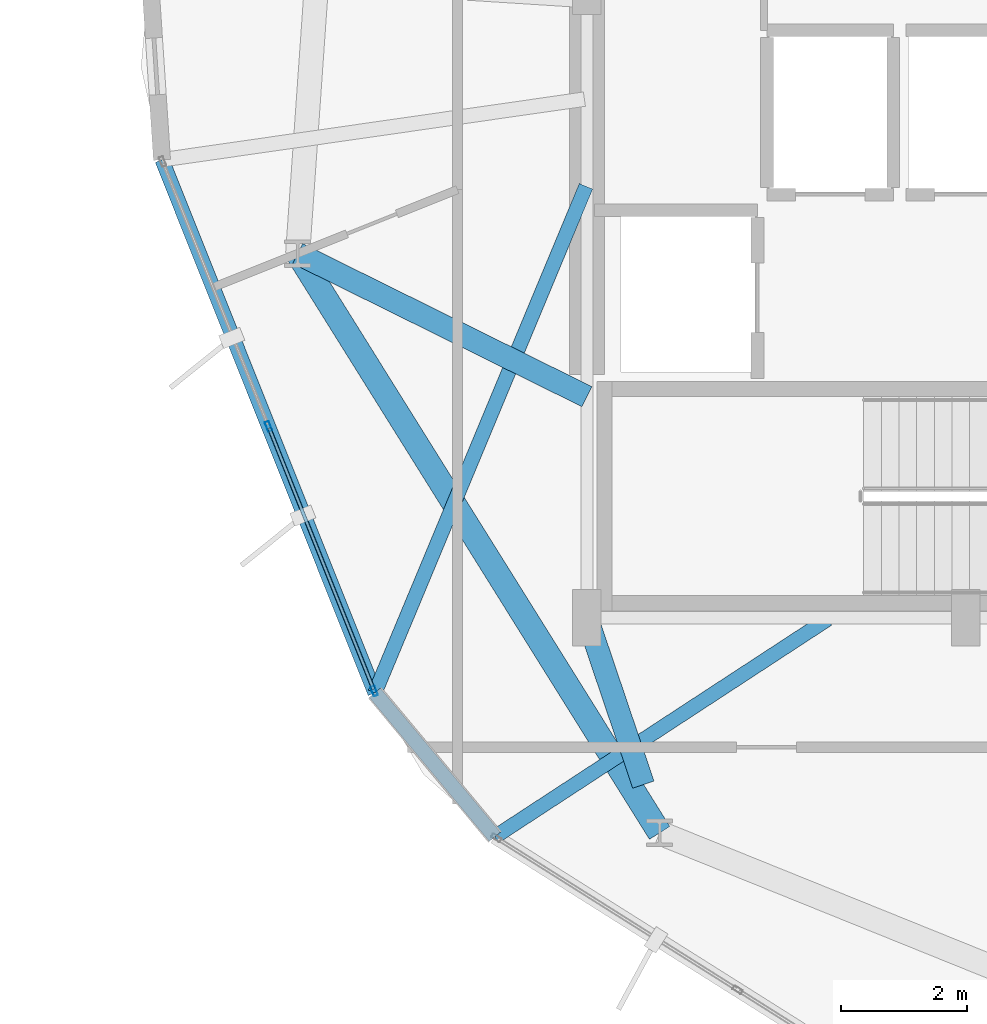
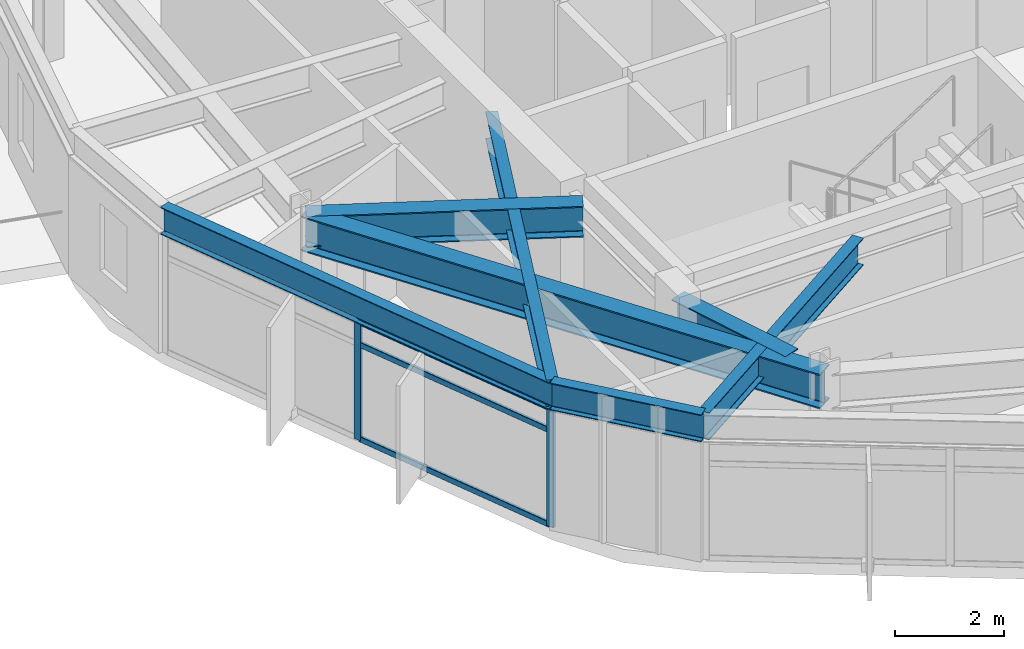
# One storey, part 3 of 24: 7 beams, 5 members, 1 element without a shape of its own.
"""IFC4 building model written with IfcOpenShell, lengths in metres."""

from ifc_helpers import new_model, si_unit, direction, frame, origin, origin_2d, place, context, subcontext, project, spatial, hollow_rectangle, i_section, extrude, material, layer, layer_set, material_profile, profile_set, type_object, element, aggregate, save


model = new_model("IFC4")

# Units and contexts
model_context = context("Model", 3, precision=1e-05, world=origin(), true_north=direction((0.0, 1.0)))
body_context = subcontext(model_context, "Body", "Model", "MODEL_VIEW")
ifc_project = project(units=[si_unit("LENGTHUNIT", "METRE"), si_unit("AREAUNIT", "SQUARE_METRE"), si_unit("VOLUMEUNIT", "CUBIC_METRE"), si_unit("PLANEANGLEUNIT", "RADIAN"), si_unit("MASSUNIT", "GRAM", prefix="KILO")], contexts=[model_context])

# Site, building, storey
site_placement = place(None, origin())
site = spatial("IfcSite", under=ifc_project, at=site_placement, CompositionType="ELEMENT")
building_placement = place(site_placement, origin())
building = spatial("IfcBuilding", under=site, at=building_placement, Name="Soratama Intermodal Tower", CompositionType="ELEMENT")
storey_placement = place(building_placement, frame((0.0, 0.0, 178.60009765625)))
storey = spatial("IfcBuildingStorey", under=building, at=storey_placement, Name="L44", CompositionType="ELEMENT", Elevation=178.60009765625)

# Beams
ifc_material_1 = material(Name="Structural steel ASTM A992 Grade 50", Category="steel")
ifc_material_profile_1 = material_profile(ifc_material_1, i_section(OverallWidth=0.35498046875, OverallDepth=0.695068359375, WebThickness=0.015380859375, FlangeThickness=0.02490234375, FilletRadius=0.01611328125, at=origin_2d()), Name="W27X146")
ifc_profile_set_1 = profile_set([ifc_material_profile_1], Name="Structural steel ASTM A992 Grade 50")
beam_type_1 = type_object("IfcBeamType", Name="BM-RING-W27X146", PredefinedType="BEAM", material=ifc_profile_set_1)
beam_1_placement = place(storey_placement, frame((32.60009765625, 18.5, 2.952392578125), z_axis=(-0.89629219718, 0.443463975172, 0.0), x_axis=(-0.443463975172, -0.89629219718, 0.0)))
element("IfcBeam", 1, at=beam_1_placement, inside=storey, type_object=beam_type_1, Name="BM-L44-RAD-06", PredefinedType="BEAM", context=body_context, shape_type="SweptSolid", body=[
    extrude(i_section(OverallWidth=0.35498046875, OverallDepth=0.695068359375, WebThickness=0.015380859375, FlangeThickness=0.02490234375, FilletRadius=0.01611328125, at=origin_2d()), origin(), (0.0, 0.0, 1.0), 5.110107421875),
])
beam_2_placement = place(storey_placement, frame((32.60009765625, 15.0, 2.952392578125), z_axis=(0.32013816754, -0.947370863856, 0.0), x_axis=(0.947370863856, 0.32013816754, 0.0)))
element("IfcBeam", 2, at=beam_2_placement, inside=storey, type_object=beam_type_1, Name="BM-L44-RAD-07", PredefinedType="BEAM", context=body_context, shape_type="SweptSolid", body=[
    extrude(i_section(OverallWidth=0.35498046875, OverallDepth=0.695068359375, WebThickness=0.015380859375, FlangeThickness=0.02490234375, FilletRadius=0.01611328125, at=origin_2d()), origin(), (0.0, 0.0, 1.0), 2.788818359375),
])
ifc_material_2 = material(Name="Structural steel ASTM A992 Grade 50", Category="steel")
ifc_material_profile_2 = material_profile(ifc_material_2, i_section(OverallWidth=0.382080078125, OverallDepth=0.779052734375, WebThickness=0.01806640625, FlangeThickness=0.030029296875, FilletRadius=0.01806640625, at=origin_2d()), Name="W30X191")
ifc_profile_set_2 = profile_set([ifc_material_profile_2], Name="Structural steel ASTM A992 Grade 50")
beam_type_2 = type_object("IfcBeamType", Name="BM-RING-W30X191", PredefinedType="BEAM", material=ifc_profile_set_2)
beam_3_placement = place(storey_placement, frame((28.02001953125, 20.76611328125, 2.910400390625), z_axis=(0.529891394359, -0.84806551055, 0.0), x_axis=(0.84806551055, 0.529891394359, 0.0)))
element("IfcBeam", 3, at=beam_3_placement, inside=storey, type_object=beam_type_2, Name="BM-L44-RING-06", PredefinedType="BEAM", context=body_context, shape_type="SweptSolid", body=[
    extrude(i_section(OverallWidth=0.382080078125, OverallDepth=0.779052734375, WebThickness=0.01806640625, FlangeThickness=0.030029296875, FilletRadius=0.01806640625, at=origin_2d()), origin(), (0.0, 0.0, 1.0), 10.8154296875),
])
ifc_material_3 = material(Name="Structural steel ASTM A992 Grade 50", Category="steel")
ifc_material_profile_3 = material_profile(ifc_material_3, i_section(OverallWidth=0.22900390625, OverallDepth=0.612060546875, WebThickness=0.011962890625, FlangeThickness=0.01953125, FilletRadius=0.012939453125, at=origin_2d()), Name="W24X84")
ifc_profile_set_3 = profile_set([ifc_material_profile_3], Name="Structural steel ASTM A992 Grade 50")
beam_type_3 = type_object("IfcBeamType", Name="BM-SPN-W24X84", PredefinedType="SPANDREL", material=ifc_profile_set_3)
beam_4_placement = place(storey_placement, frame((25.8720703125, 22.25, 2.993896484375), z_axis=(0.370941319201, -0.928656307634, 0.0), x_axis=(0.928656307634, 0.370941319201, 0.0)))
element("IfcBeam", 4, at=beam_4_placement, inside=storey, type_object=beam_type_3, Name="BS-L44-F05", PredefinedType="SPANDREL", context=body_context, shape_type="SweptSolid", body=[
    extrude(i_section(OverallWidth=0.22900390625, OverallDepth=0.612060546875, WebThickness=0.011962890625, FlangeThickness=0.01953125, FilletRadius=0.012939453125, at=origin_2d()), origin(), (0.0, 0.0, 1.0), 9.08740234375),
])
beam_5_placement = place(storey_placement, frame((29.242919921875, 13.81103515625, 2.993896484375), z_axis=(0.639981968935, -0.768389926689, 0.0), x_axis=(0.768389926689, 0.639981968935, 0.0)))
element("IfcBeam", 5, at=beam_5_placement, inside=storey, type_object=beam_type_3, Name="BS-L44-CRN05", PredefinedType="SPANDREL", context=body_context, shape_type="SweptSolid", body=[
    extrude(i_section(OverallWidth=0.22900390625, OverallDepth=0.612060546875, WebThickness=0.011962890625, FlangeThickness=0.01953125, FilletRadius=0.012939453125, at=origin_2d()), origin(), (0.0, 0.0, 1.0), 2.966064453125),
])
ifc_material_4 = material(Name="Structural steel ASTM A992 Grade 50", Category="steel")
ifc_material_profile_4 = material_profile(ifc_material_4, i_section(OverallWidth=0.22900390625, OverallDepth=0.612060546875, WebThickness=0.011962890625, FlangeThickness=0.01953125, FilletRadius=0.012939453125, at=origin_2d()), Name="W24X84")
ifc_profile_set_4 = profile_set([ifc_material_profile_4], Name="Structural steel ASTM A992 Grade 50")
beam_type_4 = type_object("IfcBeamType", Name="BM-TIE-W24X84", PredefinedType="BEAM", material=ifc_profile_set_4)
beam_6_placement = place(storey_placement, frame((32.5849609375, 21.830078125, 2.993896484375), z_axis=(-0.38469120941, -0.923045325757, 0.0), x_axis=(0.923045325757, -0.38469120941, 0.0)))
element("IfcBeam", 6, at=beam_6_placement, inside=storey, type_object=beam_type_4, Name="BM-L44-TIE1-05", PredefinedType="BEAM", context=body_context, shape_type="SweptSolid", body=[
    extrude(i_section(OverallWidth=0.22900390625, OverallDepth=0.612060546875, WebThickness=0.011962890625, FlangeThickness=0.01953125, FilletRadius=0.012939453125, at=origin_2d()), origin(), (0.0, 0.0, 1.0), 8.6875),
])
beam_7_placement = place(storey_placement, frame((36.412109375, 14.97802734375, 2.993896484375), z_axis=(-0.836996931177, -0.547207581453, 0.0), x_axis=(0.547207581453, -0.836996931177, 0.0)))
element("IfcBeam", 7, at=beam_7_placement, inside=storey, type_object=beam_type_4, Name="BM-L44-TIE0-06", PredefinedType="BEAM", context=body_context, shape_type="SweptSolid", body=[
    extrude(i_section(OverallWidth=0.22900390625, OverallDepth=0.612060546875, WebThickness=0.011962890625, FlangeThickness=0.01953125, FilletRadius=0.012939453125, at=origin_2d()), origin(), (0.0, 0.0, 1.0), 6.297607421875),
])

# Curtain wall, members
ifc_material_5 = material(Name="Double-glazed aluminium curtain wall", Category="aluminium")
ifc_layer = layer(ifc_material_5, 0.159912109375)
ifc_layer_set = layer_set([ifc_layer], Name="Double-glazed aluminium curtain wall")
curtain_wall_type = type_object("IfcCurtainWallType", Name="CW-SYS-4", PredefinedType="NOTDEFINED", material=ifc_layer_set)
curtain_wall_placement = place(storey_placement, origin())
curtain_wall = element("IfcCurtainWall", 8, at=curtain_wall_placement, inside=storey, type_object=curtain_wall_type, Name="L44 Faceted Curtain Wall F05", PredefinedType="NOTDEFINED")
ifc_material_6 = material(Name="Anodised aluminium AA 6063-T6", Category="aluminium")
ifc_material_profile_5 = material_profile(ifc_material_6, hollow_rectangle(XDim=0.070068359375, YDim=0.159912109375, WallThickness=0.0048828125, InnerFilletRadius=0.0048828125, OuterFilletRadius=0.010009765625, at=origin_2d()), Name="CWM160X70X5")
ifc_profile_set_5 = profile_set([ifc_material_profile_5], Name="Anodised aluminium AA 6063-T6")
member_type_1 = type_object("IfcMemberType", Name="MT-CWM-4", PredefinedType="MULLION", material=ifc_profile_set_5)
member_1_placement = place(storey_placement, frame((27.5576171875, 18.030517578125, 0.0), z_axis=(0.0, 0.0, 1.0), x_axis=(0.928617788795, 0.371037737075, 0.0)))
member_1 = element("IfcMember", 9, at=member_1_placement, type_object=member_type_1, Name="CW-4 mullion 2", PredefinedType="MULLION", context=body_context, shape_type="SweptSolid", body=[
    extrude(hollow_rectangle(XDim=0.070068359375, YDim=0.159912109375, WallThickness=0.0048828125, InnerFilletRadius=0.0048828125, OuterFilletRadius=0.010009765625, at=origin_2d()), origin(), (0.0, 0.0, 1.0), 2.678955078125),
])
member_2_placement = place(storey_placement, frame((29.232177734375, 13.83935546875, 0.0), z_axis=(0.0, 0.0, 1.0), x_axis=(0.928617788795, 0.371037737075, 0.0)))
member_2 = element("IfcMember", 10, at=member_2_placement, type_object=member_type_1, Name="CW-4 mullion 3", PredefinedType="MULLION", context=body_context, shape_type="SweptSolid", body=[
    extrude(hollow_rectangle(XDim=0.070068359375, YDim=0.159912109375, WallThickness=0.0048828125, InnerFilletRadius=0.0048828125, OuterFilletRadius=0.010009765625, at=origin_2d()), origin(), (0.0, 0.0, 1.0), 2.678955078125),
])
ifc_material_7 = material(Name="Anodised aluminium AA 6063-T6", Category="aluminium")
ifc_material_profile_6 = material_profile(ifc_material_7, hollow_rectangle(XDim=0.06005859375, YDim=0.1298828125, WallThickness=0.0048828125, InnerFilletRadius=0.0048828125, OuterFilletRadius=0.010009765625, at=origin_2d()), Name="CWT130X60X5")
ifc_profile_set_6 = profile_set([ifc_material_profile_6], Name="Anodised aluminium AA 6063-T6")
member_type_2 = type_object("IfcMemberType", Name="TT-CWT-2", PredefinedType="USERDEFINED", material=ifc_profile_set_6)
member_3_placement = place(storey_placement, frame((27.568603515625, 18.002685546875, 0.02978515625), z_axis=(0.371031473645, -0.928620291381, 0.0), x_axis=(0.928620291381, 0.371031473645, 0.0)))
member_3 = element("IfcMember", 11, at=member_3_placement, type_object=member_type_2, Name="CW-4 transom 2.1", ObjectType="TRANSOM", PredefinedType="USERDEFINED", context=body_context, shape_type="SweptSolid", body=[
    extrude(hollow_rectangle(XDim=0.06005859375, YDim=0.1298828125, WallThickness=0.0048828125, InnerFilletRadius=0.0048828125, OuterFilletRadius=0.010009765625, at=origin_2d()), origin(), (0.0, 0.0, 1.0), 4.453369140625),
])
member_4_placement = place(storey_placement, frame((27.568603515625, 18.002685546875, 2.14990234375), z_axis=(0.371031473645, -0.928620291381, 0.0), x_axis=(0.928620291381, 0.371031473645, 0.0)))
member_4 = element("IfcMember", 12, at=member_4_placement, type_object=member_type_2, Name="CW-4 transom 2.2", ObjectType="TRANSOM", PredefinedType="USERDEFINED", context=body_context, shape_type="SweptSolid", body=[
    extrude(hollow_rectangle(XDim=0.06005859375, YDim=0.1298828125, WallThickness=0.0048828125, InnerFilletRadius=0.0048828125, OuterFilletRadius=0.010009765625, at=origin_2d()), origin(), (0.0, 0.0, 1.0), 4.453369140625),
])
member_5_placement = place(storey_placement, frame((27.568603515625, 18.002685546875, 2.64892578125), z_axis=(0.371031473645, -0.928620291381, 0.0), x_axis=(0.928620291381, 0.371031473645, 0.0)))
member_5 = element("IfcMember", 13, at=member_5_placement, type_object=member_type_2, Name="CW-4 transom 2.3", ObjectType="TRANSOM", PredefinedType="USERDEFINED", context=body_context, shape_type="SweptSolid", body=[
    extrude(hollow_rectangle(XDim=0.06005859375, YDim=0.1298828125, WallThickness=0.0048828125, InnerFilletRadius=0.0048828125, OuterFilletRadius=0.010009765625, at=origin_2d()), origin(), (0.0, 0.0, 1.0), 4.453369140625),
])
aggregate(curtain_wall, [member_1, member_2, member_3, member_4, member_5])

save(model, "model.ifc")
